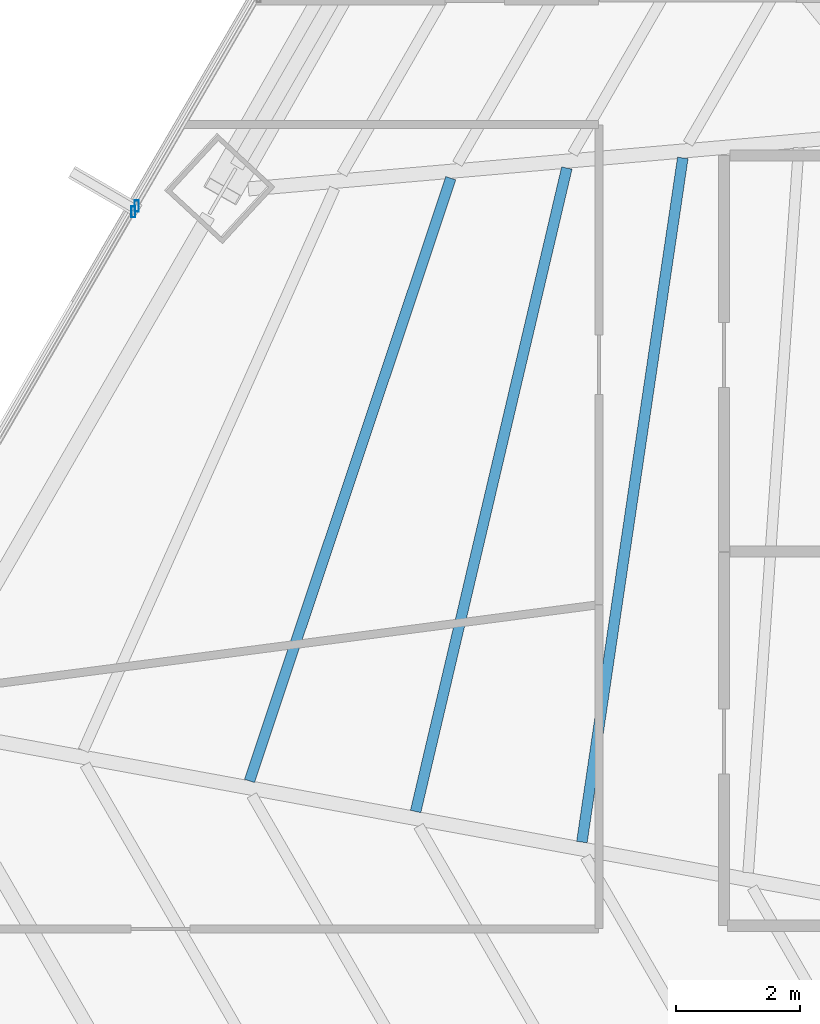
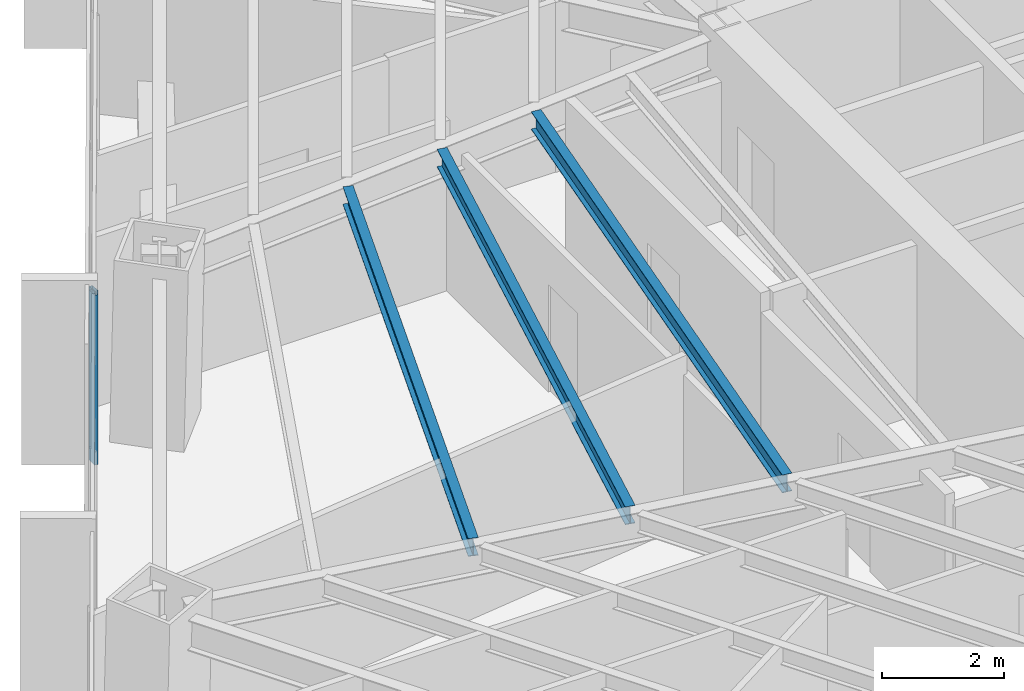
# One storey, part 11 of 34: 3 beams, 2 members, 2 elements without a shape of their own.
"""IFC4 building model written with IfcOpenShell, lengths in metres."""

from ifc_helpers import new_model, si_unit, direction, frame, origin, origin_2d, place, context, subcontext, project, spatial, hollow_rectangle, i_section, extrude, source, transform, mapped, material, material_profile, profile_set, type_object, type_shapes, element, aggregate, save


model = new_model("IFC4")

# Units and contexts
model_context = context("Model", 3, precision=1e-05, world=origin(), true_north=direction((0.0, 1.0)))
body_context = subcontext(model_context, "Body", "Model", "MODEL_VIEW")
ifc_project = project(units=[si_unit("LENGTHUNIT", "METRE"), si_unit("AREAUNIT", "SQUARE_METRE"), si_unit("VOLUMEUNIT", "CUBIC_METRE"), si_unit("PLANEANGLEUNIT", "RADIAN"), si_unit("MASSUNIT", "GRAM", prefix="KILO")], contexts=[model_context])

# Site, building, storey
site_placement = place(None, origin())
site = spatial("IfcSite", under=ifc_project, at=site_placement, CompositionType="ELEMENT")
building_placement = place(site_placement, origin())
building = spatial("IfcBuilding", under=site, at=building_placement, Name="Caelisora Broadcast Tower", CompositionType="ELEMENT")
storey_placement = place(building_placement, frame((0.0, 0.0, 49.5)))
storey = spatial("IfcBuildingStorey", under=building, at=storey_placement, Name="L12", CompositionType="ELEMENT", Elevation=49.5)

# Beams
ifc_material_1 = material(Name="Steel Grade 350 (AS/NZS 3679.1)", Category="steel")
ifc_material_profile_1 = material_profile(ifc_material_1, i_section(OverallWidth=0.172119140625, OverallDepth=0.358642578125, WebThickness=0.008056640625, FlangeThickness=0.012939453125, at=origin_2d()), Name="Steel Grade 350 (AS/NZS 3679.1)")
ifc_profile_set_1 = profile_set([ifc_material_profile_1], Name="Steel Grade 350 (AS/NZS 3679.1)")
beam_type = type_object("IfcBeamType", Name="SB02", PredefinedType="JOIST", material=ifc_profile_set_1)
shared_shape_1 = source(origin(), body_context, "Body", "SweptSolid", [
    extrude(i_section(OverallWidth=0.172119140625, OverallDepth=0.358642578125, WebThickness=0.008056640625, FlangeThickness=0.012939453125, at=origin_2d()), origin(), (0.0, 0.0, 1.0), 11.178955078125),
])
beam_1_placement = place(storey_placement, frame((26.7548828125, 29.5615234375, 3.220703125), z_axis=(-0.145908314053, -0.989298116793, 0.0), x_axis=(0.989298116793, -0.145908314053, 0.0)))
element("IfcBeam", 1, at=beam_1_placement, inside=storey, type_object=beam_type, Name="L12 beam SB02", PredefinedType="JOIST", context=body_context, shape_type="MappedRepresentation", body=[
    mapped(shared_shape_1, transform((0.0, 0.0, 0.0), scale=1.0)),
])
shared_shape_2 = source(origin(), body_context, "Body", "SweptSolid", [
    extrude(i_section(OverallWidth=0.172119140625, OverallDepth=0.358642578125, WebThickness=0.008056640625, FlangeThickness=0.012939453125, at=origin_2d()), origin(), (0.0, 0.0, 1.0), 10.6845703125),
])
beam_2_placement = place(storey_placement, frame((24.880615234375, 29.39794921875, 3.220703125), z_axis=(-0.228747672233, -0.973485748457, 0.0), x_axis=(0.973485748457, -0.228747672233, 0.0)))
element("IfcBeam", 2, at=beam_2_placement, inside=storey, type_object=beam_type, Name="L12 beam SB02", PredefinedType="JOIST", context=body_context, shape_type="MappedRepresentation", body=[
    mapped(shared_shape_2, transform((0.0, 0.0, 0.0), scale=1.0)),
])
shared_shape_3 = source(origin(), body_context, "Body", "SweptSolid", [
    extrude(i_section(OverallWidth=0.172119140625, OverallDepth=0.358642578125, WebThickness=0.008056640625, FlangeThickness=0.012939453125, at=origin_2d()), origin(), (0.0, 0.0, 1.0), 10.27197265625),
])
type_shapes(beam_type, [shared_shape_1, shared_shape_2, shared_shape_3])
beam_3_placement = place(storey_placement, frame((23.004638671875, 29.23388671875, 3.220703125), z_axis=(-0.316798130876, -0.948492985885, 0.0), x_axis=(0.948492985885, -0.316798130876, 0.0)))
element("IfcBeam", 3, at=beam_3_placement, inside=storey, type_object=beam_type, Name="L12 beam SB02", PredefinedType="JOIST", context=body_context, shape_type="MappedRepresentation", body=[
    mapped(shared_shape_3, transform((0.0, 0.0, 0.0), scale=1.0)),
])

# Curtain wall, member
ifc_material_2 = material(Name="Unitised Aluminium and Low-E Glass Curtain Wall", Category="glass")
curtain_wall_type_1 = type_object("IfcCurtainWallType", Name="CW-Z1", PredefinedType="NOTDEFINED", material=ifc_material_2)
curtain_wall_1_placement = place(storey_placement, origin())
curtain_wall_1 = element("IfcCurtainWall", 4, at=curtain_wall_1_placement, inside=storey, type_object=curtain_wall_type_1, Name="L12 curtain wall CW-Z1", PredefinedType="NOTDEFINED")
ifc_material_3 = material(Name="Aluminium 6063-T6 Anodised Terracotta Bronze", Category="aluminium")
ifc_material_profile_2 = material_profile(ifc_material_3, hollow_rectangle(XDim=0.06494140625, YDim=0.179931640625, WallThickness=0.00341796875, at=origin_2d()), Name="Aluminium 6063-T6 Anodised Terracotta Bronze")
ifc_profile_set_2 = profile_set([ifc_material_profile_2], Name="Aluminium 6063-T6 Anodised Terracotta Bronze")
member_type = type_object("IfcMemberType", Name="CWM-02", PredefinedType="MULLION", material=ifc_profile_set_2)
shared_shape_4 = source(origin(), body_context, "Body", "SweptSolid", [
    extrude(hollow_rectangle(XDim=0.06494140625, YDim=0.179931640625, WallThickness=0.00341796875, at=origin_2d()), origin(), (0.0, 0.0, 1.0), 3.39990234375),
])
type_shapes(member_type, [shared_shape_4])
member_1_placement = place(storey_placement, frame((17.873291015625, 28.689208984375, 0.0), z_axis=(0.0, 0.0, 1.0), x_axis=(1.0, 0.0, 0.0)))
member_1 = element("IfcMember", 5, at=member_1_placement, type_object=member_type, Name="L12-CW-B09 mullion #3", PredefinedType="MULLION", context=body_context, shape_type="MappedRepresentation", body=[
    mapped(shared_shape_4, transform((0.0, 0.0, 0.0), scale=1.0)),
])
aggregate(curtain_wall_1, [member_1])

ifc_material_4 = material(Name="Unitised Aluminium Insulated Shadow-Box Spandrel Curtain Wall", Category="aluminium")
curtain_wall_type_2 = type_object("IfcCurtainWallType", Name="CW-SP1", PredefinedType="NOTDEFINED", material=ifc_material_4)
curtain_wall_2_placement = place(storey_placement, origin())
curtain_wall_2 = element("IfcCurtainWall", 6, at=curtain_wall_2_placement, inside=storey, type_object=curtain_wall_type_2, Name="L12 curtain wall CW-SP1", PredefinedType="NOTDEFINED")
member_2_placement = place(storey_placement, frame((17.9287109375, 28.7841796875, 0.0), z_axis=(0.0, 0.0, 1.0), x_axis=(1.0, 0.0, 0.0)))
member_2 = element("IfcMember", 7, at=member_2_placement, type_object=member_type, Name="L12-CW-B10 mullion #0", PredefinedType="MULLION", context=body_context, shape_type="MappedRepresentation", body=[
    mapped(shared_shape_4, transform((0.0, 0.0, 0.0), scale=1.0)),
])
aggregate(curtain_wall_2, [member_2])

save(model, "model.ifc")
